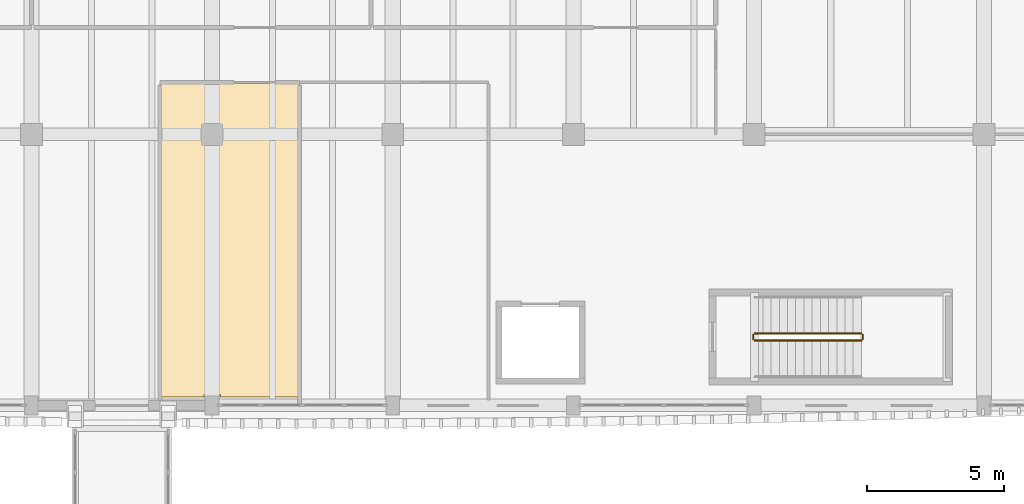
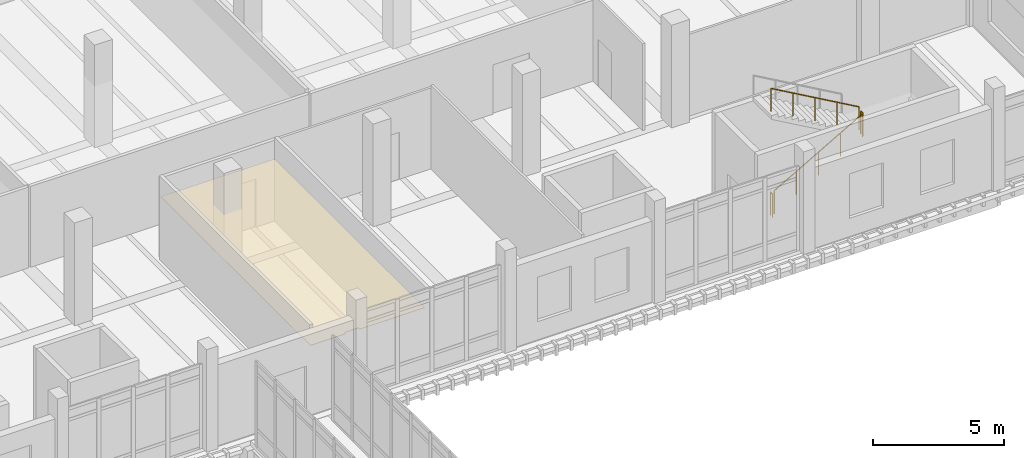
# One storey, part 117 of 125: 4 railings, 1 covering.
"""IFC4 building model written with IfcOpenShell, lengths in metres."""

from ifc_helpers import new_model, si_unit, direction, frame, origin, origin_2d, place, context, subcontext, project, spatial, polyline, circle, outline, extrude, material, layer, layer_set, type_object, element, save


model = new_model("IFC4")

# Units and contexts
model_context = context("Model", 3, precision=1e-05, world=origin(), true_north=direction((0.0, 1.0)))
body_context = subcontext(model_context, "Body", "Model", "MODEL_VIEW")
ifc_project = project(units=[si_unit("LENGTHUNIT", "METRE"), si_unit("AREAUNIT", "SQUARE_METRE"), si_unit("VOLUMEUNIT", "CUBIC_METRE"), si_unit("PLANEANGLEUNIT", "RADIAN"), si_unit("MASSUNIT", "GRAM", prefix="KILO")], contexts=[model_context])

# Site, building, storey
site_placement = place(None, origin())
site = spatial("IfcSite", under=ifc_project, at=site_placement, CompositionType="ELEMENT")
building_placement = place(site_placement, origin())
building = spatial("IfcBuilding", under=site, at=building_placement, Name="Dornvale Research Institute", CompositionType="ELEMENT")
storey_placement = place(building_placement, frame((0.0, 0.0, 5.39990234375)))
storey = spatial("IfcBuildingStorey", under=building, at=storey_placement, Name="L01", CompositionType="ELEMENT", Elevation=5.39990234375)

# Covering
ifc_material_1 = material(Name="Mineral-Fibre Acoustic Lay-In Ceiling Tile System")
ifc_layer_1 = layer(ifc_material_1, 0.02001953125)
ifc_layer_set_1 = layer_set([ifc_layer_1], Name="Mineral-Fibre Acoustic Lay-In Ceiling Tile System")
covering_type = type_object("IfcCoveringType", Name="Covering_Acoustic_Ceiling", PredefinedType="CEILING", material=ifc_layer_set_1)
covering_placement = place(storey_placement, frame((0.0, 0.0, 2.85009765625)))
element("IfcCovering", 1, at=covering_placement, inside=storey, type_object=covering_type, Name="L01 Laboratory Instrument Support Room L01 suspended ceiling", PredefinedType="CEILING", context=body_context, shape_type="SweptSolid", body=[
    extrude(outline(polyline([(144.89990234375, 92.800048828125), (144.89990234375, 92.699951171875), (143.320068359375, 92.699951171875), (143.320068359375, 104.179931640625), (148.3798828125, 104.179931640625), (148.3798828125, 92.699951171875), (145.5, 92.699951171875), (145.5, 92.800048828125), (144.89990234375, 92.800048828125)])), origin(), (0.0, 0.0, 1.0), 0.02001953125),
])

# Railings
ifc_material_2 = material(Name="Galvanized Painted Tubular Steel Stair Rail", Category="steel")
ifc_layer_2 = layer(ifc_material_2, 0.050048828125)
ifc_layer_set_2 = layer_set([ifc_layer_2], Name="Galvanized Painted Tubular Steel Stair Rail")
railing_type = type_object("IfcRailingType", Name="Railing_Stair_Guard_1100", PredefinedType="GUARDRAIL", material=ifc_layer_set_2)
railing_1_placement = place(storey_placement, frame((165.02001953125, 94.77001953125, 0.171630859375)))
element("IfcRailing", 2, at=railing_1_placement, inside=storey, type_object=railing_type, Name="L01 ST-4 stair guard 1", PredefinedType="GUARDRAIL", context=body_context, shape_type="SweptSolid", body=[
    extrude(circle(Radius=0.02392578125, at=origin_2d()), frame((0.0, 0.0, 1.076171875), z_axis=(0.868243142124, 0.0, 0.496138938357), x_axis=(0.0, 1.0, 0.0)), (0.0, 0.0, 1.0), 4.49169921875),
    extrude(circle(Radius=0.02099609375, at=origin_2d()), origin(), (0.0, 0.0, 1.0), 1.052001953125),
    extrude(circle(Radius=0.02099609375, at=origin_2d()), frame((0.97509765625, 0.0, 0.55712890625)), (0.0, 0.0, 1.0), 1.052001953125),
    extrude(circle(Radius=0.02099609375, at=origin_2d()), frame((1.949951171875, 0.0, 1.1142578125)), (0.0, 0.0, 1.0), 1.052001953125),
    extrude(circle(Radius=0.02099609375, at=origin_2d()), frame((2.9248046875, 0.0, 1.67138671875)), (0.0, 0.0, 1.0), 1.052001953125),
    extrude(circle(Radius=0.02099609375, at=origin_2d()), frame((3.89990234375, 0.0, 2.228515625)), (0.0, 0.0, 1.0), 1.052001953125),
])
railing_2_placement = place(storey_placement, frame((168.969970703125, 94.820068359375, 2.400146484375)))
element("IfcRailing", 3, at=railing_2_placement, inside=storey, type_object=railing_type, Name="L01 ST-4 stair guard 2", PredefinedType="GUARDRAIL", context=body_context, shape_type="SweptSolid", body=[
    extrude(circle(Radius=0.02392578125, at=origin_2d()), frame((0.0, 0.0, 1.076171875), z_axis=(0.0, 1.0, 0.0), x_axis=(-1.0, 0.0, 0.0)), (0.0, 0.0, 1.0), 0.159912109375),
    extrude(circle(Radius=0.02099609375, at=origin_2d()), origin(), (0.0, 0.0, 1.0), 1.052001953125),
    extrude(circle(Radius=0.02099609375, at=origin_2d()), frame((0.0, 0.159912109375, 0.0)), (0.0, 0.0, 1.0), 1.052001953125),
])
railing_3_placement = place(storey_placement, frame((168.919921875, 95.030029296875, 2.571533203125)))
element("IfcRailing", 4, at=railing_3_placement, inside=storey, type_object=railing_type, Name="L01 ST-4 stair guard 3", PredefinedType="GUARDRAIL", context=body_context, shape_type="SweptSolid", body=[
    extrude(circle(Radius=0.02392578125, at=origin_2d()), frame((0.0, 0.0, 1.076171875), z_axis=(-0.868243142124, 0.0, 0.496138938357), x_axis=(0.0, -1.0, 0.0)), (0.0, 0.0, 1.0), 4.49169921875),
    extrude(circle(Radius=0.02099609375, at=origin_2d()), origin(), (0.0, 0.0, 1.0), 1.052001953125),
    extrude(circle(Radius=0.02099609375, at=origin_2d()), frame((-0.97509765625, 0.0, 0.55712890625)), (0.0, 0.0, 1.0), 1.052001953125),
    extrude(circle(Radius=0.02099609375, at=origin_2d()), frame((-1.949951171875, 0.0, 1.1142578125)), (0.0, 0.0, 1.0), 1.052001953125),
    extrude(circle(Radius=0.02099609375, at=origin_2d()), frame((-2.9248046875, 0.0, 1.67138671875)), (0.0, 0.0, 1.0), 1.052001953125),
    extrude(circle(Radius=0.02099609375, at=origin_2d()), frame((-3.89990234375, 0.0, 2.228515625)), (0.0, 0.0, 1.0), 1.052001953125),
])
railing_4_placement = place(storey_placement, frame((164.969970703125, 94.820068359375, 0.0)))
element("IfcRailing", 5, at=railing_4_placement, inside=storey, type_object=railing_type, Name="L01 ST-4 stair guard 4", PredefinedType="GUARDRAIL", context=body_context, shape_type="SweptSolid", body=[
    extrude(circle(Radius=0.02392578125, at=origin_2d()), frame((0.0, 0.0, 1.076171875), z_axis=(0.0, 1.0, 0.0), x_axis=(-1.0, 0.0, 0.0)), (0.0, 0.0, 1.0), 0.159912109375),
    extrude(circle(Radius=0.02099609375, at=origin_2d()), origin(), (0.0, 0.0, 1.0), 1.052001953125),
    extrude(circle(Radius=0.02099609375, at=origin_2d()), frame((0.0, 0.159912109375, 0.0)), (0.0, 0.0, 1.0), 1.052001953125),
])

save(model, "model.ifc")
